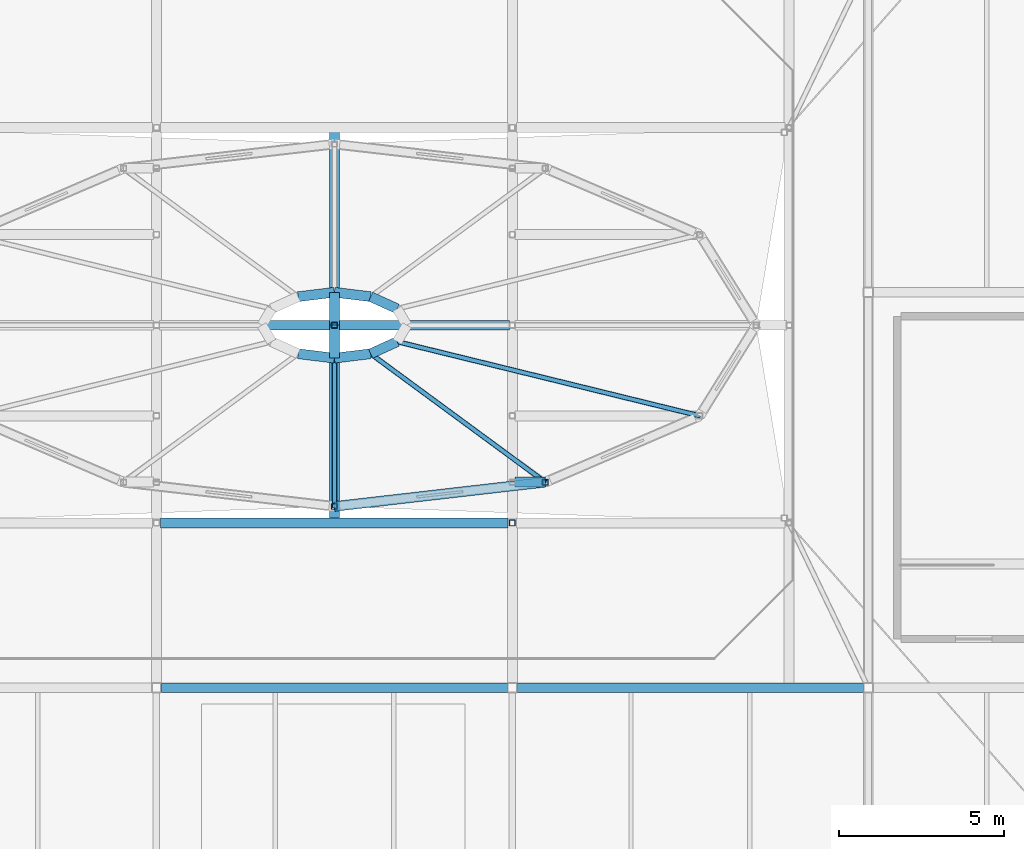
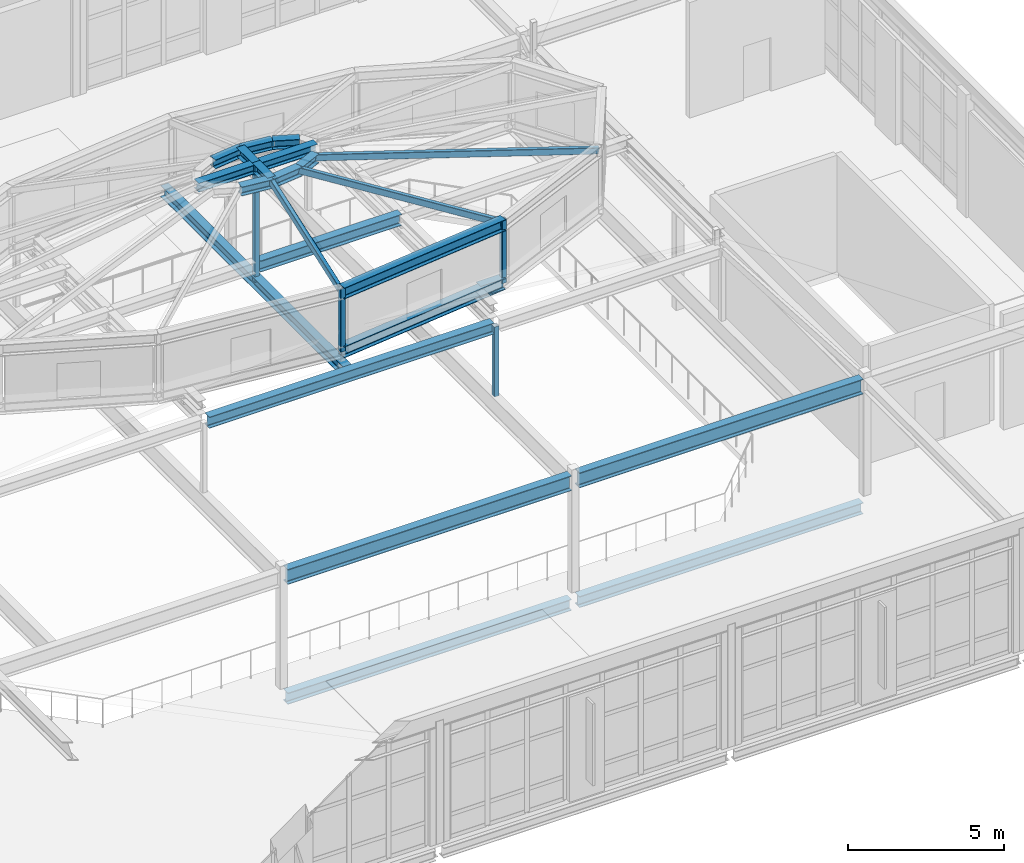
# One storey, part 29 of 86: 20 beams, 7 members.
"""IFC4 building model written with IfcOpenShell, lengths in metres."""

from ifc_helpers import new_model, si_unit, direction, frame, origin, origin_2d, place, context, subcontext, project, spatial, hollow_rectangle, i_section, extrude, material, material_profile, profile_set, type_object, element, save


model = new_model("IFC4")

# Units and contexts
model_context = context("Model", 3, precision=1e-05, world=origin(), true_north=direction((0.0, 1.0)))
body_context = subcontext(model_context, "Body", "Model", "MODEL_VIEW")
ifc_project = project(units=[si_unit("LENGTHUNIT", "METRE"), si_unit("AREAUNIT", "SQUARE_METRE"), si_unit("VOLUMEUNIT", "CUBIC_METRE"), si_unit("PLANEANGLEUNIT", "RADIAN"), si_unit("MASSUNIT", "GRAM", prefix="KILO")], contexts=[model_context])

# Site, building, storey
site_placement = place(None, origin())
site = spatial("IfcSite", under=ifc_project, at=site_placement, CompositionType="ELEMENT")
building_placement = place(site_placement, origin())
building = spatial("IfcBuilding", under=site, at=building_placement, Name="Tasgan Crest Museum", CompositionType="ELEMENT")
storey_placement = place(building_placement, frame((0.0, 0.0, 24.0)))
storey = spatial("IfcBuildingStorey", under=building, at=storey_placement, Name="L04", CompositionType="ELEMENT", Elevation=24.0)

# Beams
ifc_material_1 = material(Name="Steel S355K2", Category="steel")
ifc_material_profile_1 = material_profile(ifc_material_1, i_section(OverallWidth=0.300048828125, OverallDepth=0.43994140625, WebThickness=0.011474609375, FlangeThickness=0.02099609375, FilletRadius=0.027099609375, at=origin_2d()), Name="HEA 450")
ifc_profile_set_1 = profile_set([ifc_material_profile_1], Name="Steel S355K2")
beam_type_1 = type_object("IfcBeamType", Name="BM-DRUM-RING", PredefinedType="BEAM", material=ifc_profile_set_1)
beam_1_placement = place(storey_placement, frame((75.72509765625, 55.0, 7.320068359375), z_axis=(1.0, 0.0, 0.0), x_axis=(0.0, 1.0, 0.0)))
element("IfcBeam", 1, at=beam_1_placement, inside=storey, type_object=beam_type_1, Name="Winter-garden crown ring beam S2", PredefinedType="BEAM", context=body_context, shape_type="SweptSolid", body=[
    extrude(i_section(OverallWidth=0.300048828125, OverallDepth=0.43994140625, WebThickness=0.011474609375, FlangeThickness=0.02099609375, FilletRadius=0.027099609375, at=origin_2d()), origin(), (0.0, 0.0, 1.0), 10.5498046875),
])
beam_2_placement = place(storey_placement, frame((81.0, 55.139892578125, 7.320068359375), z_axis=(0.0, 1.0, 0.0), x_axis=(-1.0, 0.0, 0.0)))
element("IfcBeam", 2, at=beam_2_placement, inside=storey, type_object=beam_type_1, Name="Winter-garden crown cross girder X=81.0", PredefinedType="BEAM", context=body_context, shape_type="SweptSolid", body=[
    extrude(i_section(OverallWidth=0.300048828125, OverallDepth=0.43994140625, WebThickness=0.011474609375, FlangeThickness=0.02099609375, FilletRadius=0.027099609375, at=origin_2d()), origin(), (0.0, 0.0, 1.0), 11.72021484375),
])
beam_3_placement = place(storey_placement, frame((81.0849609375, 61.0, 7.919921875), z_axis=(1.0, 0.0, 0.0), x_axis=(0.0, 1.0, 0.0)))
element("IfcBeam", 3, at=beam_3_placement, inside=storey, type_object=beam_type_1, Name="Rotunda longitudinal spine girder 3", PredefinedType="BEAM", context=body_context, shape_type="SweptSolid", body=[
    extrude(i_section(OverallWidth=0.300048828125, OverallDepth=0.43994140625, WebThickness=0.011474609375, FlangeThickness=0.02099609375, FilletRadius=0.027099609375, at=origin_2d()), origin(), (0.0, 0.0, 1.0), 5.22998046875),
])
for number, where, z_axis, x_axis, name in (
    (4, (81.0, 55.5, 7.919921875), (0.993437783684, 0.114373816707, 0.0), (-0.114373816707, 0.993437783684, 0.0), "Rotunda base ring 10"),
    (5, (81.0, 55.5, 10.219970703125), (0.993437783684, 0.114373816707, 0.0), (-0.114373816707, 0.993437783684, 0.0), "Rotunda eave ring 10"),
):
    element("IfcBeam", number, at=place(storey_placement, frame(where, z_axis=z_axis, x_axis=x_axis)), inside=storey, type_object=beam_type_1, Name=name, PredefinedType="BEAM", context=body_context, shape_type="SweptSolid", body=[
        extrude(i_section(OverallWidth=0.300048828125, OverallDepth=0.43994140625, WebThickness=0.011474609375, FlangeThickness=0.02099609375, FilletRadius=0.027099609375, at=origin_2d()), origin(), (0.0, 0.0, 1.0), 6.442138671875),
    ])
beam_4_placement = place(storey_placement, frame((86.485107421875, 56.23681640625, 7.919921875), z_axis=(1.0, 0.0, 0.0), x_axis=(0.0, 1.0, 0.0)))
element("IfcBeam", 6, at=beam_4_placement, inside=storey, type_object=beam_type_1, Name="Rotunda radial vertex bearer 11", PredefinedType="BEAM", context=body_context, shape_type="SweptSolid", body=[
    extrude(i_section(OverallWidth=0.300048828125, OverallDepth=0.43994140625, WebThickness=0.011474609375, FlangeThickness=0.02099609375, FilletRadius=0.027099609375, at=origin_2d()), origin(), (0.0, 0.0, 1.0), 0.914794921875),
])
ifc_material_2 = material(Name="Steel S355J2", Category="steel")
ifc_material_profile_2 = material_profile(ifc_material_2, i_section(OverallWidth=0.300048828125, OverallDepth=0.35009765625, WebThickness=0.009521484375, FlangeThickness=0.017578125, FilletRadius=0.027099609375, at=origin_2d()), Name="HEA 360")
ifc_profile_set_2 = profile_set([ifc_material_profile_2], Name="Steel S355J2")
beam_type_2 = type_object("IfcBeamType", Name="BM-G-HEA360", PredefinedType="BEAM", material=ifc_profile_set_2)
for number, where, z_axis, x_axis, name in (
    (7, (81.0, 61.0, 11.800048828125), (1.0, 0.0, 0.0), (0.0, 1.0, 0.0), "Rotunda oculus hub spoke E"),
    (8, (81.0, 61.0, 11.800048828125), (-1.0, 0.0, 0.0), (0.0, -1.0, 0.0), "Rotunda oculus hub spoke W"),
):
    element("IfcBeam", number, at=place(storey_placement, frame(where, z_axis=z_axis, x_axis=x_axis)), inside=storey, type_object=beam_type_2, Name=name, PredefinedType="BEAM", context=body_context, shape_type="SweptSolid", body=[
        extrude(i_section(OverallWidth=0.300048828125, OverallDepth=0.35009765625, WebThickness=0.009521484375, FlangeThickness=0.017578125, FilletRadius=0.027099609375, at=origin_2d()), origin(), (0.0, 0.0, 1.0), 2.199951171875),
    ])
for number, where, z_axis, x_axis, name in (
    (9, (81.0, 61.0, 11.800048828125), (0.0, 1.0, 0.0), (-1.0, 0.0, 0.0), "Rotunda oculus hub spoke N"),
    (10, (81.0, 61.0, 11.800048828125), (0.0, -1.0, 0.0), (1.0, 0.0, 0.0), "Rotunda oculus hub spoke S"),
):
    element("IfcBeam", number, at=place(storey_placement, frame(where, z_axis=z_axis, x_axis=x_axis)), inside=storey, type_object=beam_type_2, Name=name, PredefinedType="BEAM", context=body_context, shape_type="SweptSolid", body=[
        extrude(i_section(OverallWidth=0.300048828125, OverallDepth=0.35009765625, WebThickness=0.009521484375, FlangeThickness=0.017578125, FilletRadius=0.027099609375, at=origin_2d()), origin(), (0.0, 0.0, 1.0), 1.0),
    ])
beam_5_placement = place(storey_placement, frame((82.9052734375, 61.5, 11.800048828125), z_axis=(-0.910375930608, 0.41378214675, 0.0), x_axis=(-0.41378214675, -0.910375930608, 0.0)))
element("IfcBeam", 11, at=beam_5_placement, inside=storey, type_object=beam_type_2, Name="Rotunda oculus compression ring 2", PredefinedType="BEAM", context=body_context, shape_type="SweptSolid", body=[
    extrude(i_section(OverallWidth=0.300048828125, OverallDepth=0.35009765625, WebThickness=0.009521484375, FlangeThickness=0.017578125, FilletRadius=0.027099609375, at=origin_2d()), origin(), (0.0, 0.0, 1.0), 0.884521484375),
])
for number, where, z_axis, x_axis, name in (
    (12, (82.10009765625, 61.865966796875, 11.800048828125), (-0.992659430065, 0.120943192877, 0.0), (-0.120943192877, -0.992659430065, 0.0), "Rotunda oculus compression ring 3"),
    (13, (81.0, 62.0, 11.800048828125), (-0.992659430065, -0.120943192877, 0.0), (0.120943192877, -0.992659430065, 0.0), "Rotunda oculus compression ring 4"),
    (14, (79.89990234375, 60.134033203125, 11.800048828125), (0.992659430065, -0.120943192877, 0.0), (0.120943192877, 0.992659430065, 0.0), "Rotunda oculus compression ring 9"),
    (15, (81.0, 60.0, 11.800048828125), (0.992659430065, 0.120943192877, 0.0), (-0.120943192877, 0.992659430065, 0.0), "Rotunda oculus compression ring 10"),
):
    element("IfcBeam", number, at=place(storey_placement, frame(where, z_axis=z_axis, x_axis=x_axis)), inside=storey, type_object=beam_type_2, Name=name, PredefinedType="BEAM", context=body_context, shape_type="SweptSolid", body=[
        extrude(i_section(OverallWidth=0.300048828125, OverallDepth=0.35009765625, WebThickness=0.009521484375, FlangeThickness=0.017578125, FilletRadius=0.027099609375, at=origin_2d()), origin(), (0.0, 0.0, 1.0), 1.108154296875),
    ])
beam_6_placement = place(storey_placement, frame((82.10009765625, 60.134033203125, 11.800048828125), z_axis=(0.910375930608, 0.41378214675, 0.0), x_axis=(-0.41378214675, 0.910375930608, 0.0)))
element("IfcBeam", 16, at=beam_6_placement, inside=storey, type_object=beam_type_2, Name="Rotunda oculus compression ring 11", PredefinedType="BEAM", context=body_context, shape_type="SweptSolid", body=[
    extrude(i_section(OverallWidth=0.300048828125, OverallDepth=0.35009765625, WebThickness=0.009521484375, FlangeThickness=0.017578125, FilletRadius=0.027099609375, at=origin_2d()), origin(), (0.0, 0.0, 1.0), 0.884521484375),
])
ifc_material_3 = material(Name="Steel S355J2", Category="steel")
ifc_material_profile_3 = material_profile(ifc_material_3, i_section(OverallWidth=0.300048828125, OverallDepth=0.43994140625, WebThickness=0.011474609375, FlangeThickness=0.02099609375, FilletRadius=0.027099609375, at=origin_2d()), Name="HEA 450")
ifc_profile_set_3 = profile_set([ifc_material_profile_3], Name="Steel S355J2")
beam_type_3 = type_object("IfcBeamType", Name="BM-G-HEA450", PredefinedType="BEAM", material=ifc_profile_set_3)
beam_7_placement = place(storey_placement, frame((75.74609375, 50.0, -0.4599609375), z_axis=(1.0, 0.0, 0.0), x_axis=(0.0, 1.0, 0.0)))
element("IfcBeam", 17, at=beam_7_placement, inside=storey, type_object=beam_type_3, Name="Girder L04 F 75.6-86.4", PredefinedType="BEAM", context=body_context, shape_type="SweptSolid", body=[
    extrude(i_section(OverallWidth=0.300048828125, OverallDepth=0.43994140625, WebThickness=0.011474609375, FlangeThickness=0.02099609375, FilletRadius=0.027099609375, at=origin_2d()), origin(), (0.0, 0.0, 1.0), 10.5078125),
])
beam_8_placement = place(storey_placement, frame((86.5458984375, 50.0, -0.4599609375), z_axis=(1.0, 0.0, 0.0), x_axis=(0.0, 1.0, 0.0)))
element("IfcBeam", 18, at=beam_8_placement, inside=storey, type_object=beam_type_3, Name="Girder L04 F 86.4-97.2", PredefinedType="BEAM", context=body_context, shape_type="SweptSolid", body=[
    extrude(i_section(OverallWidth=0.300048828125, OverallDepth=0.43994140625, WebThickness=0.011474609375, FlangeThickness=0.02099609375, FilletRadius=0.027099609375, at=origin_2d()), origin(), (0.0, 0.0, 1.0), 10.508056640625),
])
ifc_material_4 = material(Name="Steel S355J2", Category="steel")
ifc_material_profile_4 = material_profile(ifc_material_4, i_section(OverallWidth=0.300048828125, OverallDepth=0.590087890625, WebThickness=0.012939453125, FlangeThickness=0.02490234375, FilletRadius=0.027099609375, at=origin_2d()), Name="HEA 600")
ifc_profile_set_4 = profile_set([ifc_material_profile_4], Name="Steel S355J2")
beam_type_4 = type_object("IfcBeamType", Name="BM-G-HEA600", PredefinedType="BEAM", material=ifc_profile_set_4)
beam_9_placement = place(storey_placement, frame((75.74609375, 50.0, 4.304931640625), z_axis=(1.0, 0.0, 0.0), x_axis=(0.0, 1.0, 0.0)))
element("IfcBeam", 19, at=beam_9_placement, inside=storey, type_object=beam_type_4, Name="Winter-garden roof girder F 75.6-86.4", PredefinedType="BEAM", context=body_context, shape_type="SweptSolid", body=[
    extrude(i_section(OverallWidth=0.300048828125, OverallDepth=0.590087890625, WebThickness=0.012939453125, FlangeThickness=0.02490234375, FilletRadius=0.027099609375, at=origin_2d()), origin(), (0.0, 0.0, 1.0), 10.5078125),
])
beam_10_placement = place(storey_placement, frame((86.5458984375, 50.0, 4.304931640625), z_axis=(1.0, 0.0, 0.0), x_axis=(0.0, 1.0, 0.0)))
element("IfcBeam", 20, at=beam_10_placement, inside=storey, type_object=beam_type_4, Name="Winter-garden roof girder F 86.4-97.2", PredefinedType="BEAM", context=body_context, shape_type="SweptSolid", body=[
    extrude(i_section(OverallWidth=0.300048828125, OverallDepth=0.590087890625, WebThickness=0.012939453125, FlangeThickness=0.02490234375, FilletRadius=0.027099609375, at=origin_2d()), origin(), (0.0, 0.0, 1.0), 10.508056640625),
])

# Members
ifc_material_5 = material(Name="Steel S355K2", Category="steel")
ifc_material_profile_5 = material_profile(ifc_material_5, hollow_rectangle(XDim=0.14990234375, YDim=0.25, WallThickness=0.010009765625, InnerFilletRadius=0.010009765625, OuterFilletRadius=0.02001953125, at=origin_2d()), Name="RHS 250x150x10")
ifc_profile_set_5 = profile_set([ifc_material_profile_5], Name="Steel S355K2")
member_type_1 = type_object("IfcMemberType", Name="MEM-DRUM-RIB", PredefinedType="RAFTER", material=ifc_profile_set_5)
member_1_placement = place(storey_placement, frame((81.0, 55.5, 10.219970703125), z_axis=(0.0, 0.943525888678, 0.331298803794), x_axis=(-1.0, 0.0, 0.0)))
element("IfcMember", 21, at=member_1_placement, inside=storey, type_object=member_type_1, Name="Rotunda radial rafter 10", PredefinedType="RAFTER", context=body_context, shape_type="SweptSolid", body=[
    extrude(hollow_rectangle(XDim=0.14990234375, YDim=0.25, WallThickness=0.010009765625, InnerFilletRadius=0.010009765625, OuterFilletRadius=0.02001953125, at=origin_2d()), origin(), (0.0, 0.0, 1.0), 4.769287109375),
])
member_2_placement = place(storey_placement, frame((87.39990234375, 56.23681640625, 10.219970703125), z_axis=(-0.783349855236, 0.576037117152, 0.233547091537), x_axis=(-0.592420206422, -0.805629132432, 0.0)))
element("IfcMember", 22, at=member_2_placement, inside=storey, type_object=member_type_1, Name="Rotunda radial rafter 11", PredefinedType="RAFTER", context=body_context, shape_type="SweptSolid", body=[
    extrude(hollow_rectangle(XDim=0.14990234375, YDim=0.25, WallThickness=0.010009765625, InnerFilletRadius=0.010009765625, OuterFilletRadius=0.02001953125, at=origin_2d()), origin(), (0.0, 0.0, 1.0), 6.765625),
])
member_3_placement = place(storey_placement, frame((92.085205078125, 58.25, 10.219970703125), z_axis=(-0.95795799205, 0.234795373919, 0.164886681858), x_axis=(-0.238053730189, -0.971251986635, 0.0)))
element("IfcMember", 23, at=member_3_placement, inside=storey, type_object=member_type_1, Name="Rotunda radial rafter 12", PredefinedType="RAFTER", context=body_context, shape_type="SweptSolid", body=[
    extrude(hollow_rectangle(XDim=0.14990234375, YDim=0.25, WallThickness=0.010009765625, InnerFilletRadius=0.010009765625, OuterFilletRadius=0.02001953125, at=origin_2d()), origin(), (0.0, 0.0, 1.0), 9.582763671875),
])
ifc_material_6 = material(Name="Steel S355K2", Category="steel")
ifc_material_profile_6 = material_profile(ifc_material_6, hollow_rectangle(XDim=0.179931640625, YDim=0.179931640625, WallThickness=0.010009765625, InnerFilletRadius=0.010009765625, OuterFilletRadius=0.02001953125, at=origin_2d()), Name="SHS 180x180x10")
ifc_profile_set_6 = profile_set([ifc_material_profile_6], Name="Steel S355K2")
member_type_2 = type_object("IfcMemberType", Name="TR-SAW-POST", PredefinedType="POST", material=ifc_profile_set_6)
member_4_placement = place(storey_placement, frame((86.39990234375, 55.0, 4.580078125), z_axis=(0.0, 0.0, 1.0), x_axis=(1.0, 0.0, 0.0)))
element("IfcMember", 24, at=member_4_placement, inside=storey, type_object=member_type_2, Name="Winter-garden lantern post X=86.4 S", PredefinedType="POST", context=body_context, shape_type="SweptSolid", body=[
    extrude(hollow_rectangle(XDim=0.179931640625, YDim=0.179931640625, WallThickness=0.010009765625, InnerFilletRadius=0.010009765625, OuterFilletRadius=0.02001953125, at=origin_2d()), origin(), (0.0, 0.0, 1.0), 2.739990234375),
])
member_5_placement = place(storey_placement, frame((81.0, 61.0, 7.320068359375), z_axis=(0.0, 0.0, 1.0), x_axis=(1.0, 0.0, 0.0)))
element("IfcMember", 25, at=member_5_placement, inside=storey, type_object=member_type_2, Name="Rotunda central king post", PredefinedType="POST", context=body_context, shape_type="SweptSolid", body=[
    extrude(hollow_rectangle(XDim=0.179931640625, YDim=0.179931640625, WallThickness=0.010009765625, InnerFilletRadius=0.010009765625, OuterFilletRadius=0.02001953125, at=origin_2d()), origin(), (0.0, 0.0, 1.0), 4.6298828125),
])
for number, where, z_axis, x_axis, name in (
    (26, (81.0, 55.5, 7.919921875), (0.0, 0.0, 1.0), (1.0, 0.0, 0.0), "Rotunda drum post 10"),
    (27, (87.39990234375, 56.23681640625, 7.919921875), (0.0, 0.0, 1.0), (1.0, 0.0, 0.0), "Rotunda drum post 11"),
):
    element("IfcMember", number, at=place(storey_placement, frame(where, z_axis=z_axis, x_axis=x_axis)), inside=storey, type_object=member_type_2, Name=name, PredefinedType="POST", context=body_context, shape_type="SweptSolid", body=[
        extrude(hollow_rectangle(XDim=0.179931640625, YDim=0.179931640625, WallThickness=0.010009765625, InnerFilletRadius=0.010009765625, OuterFilletRadius=0.02001953125, at=origin_2d()), origin(), (0.0, 0.0, 1.0), 2.47998046875),
    ])

save(model, "model.ifc")
